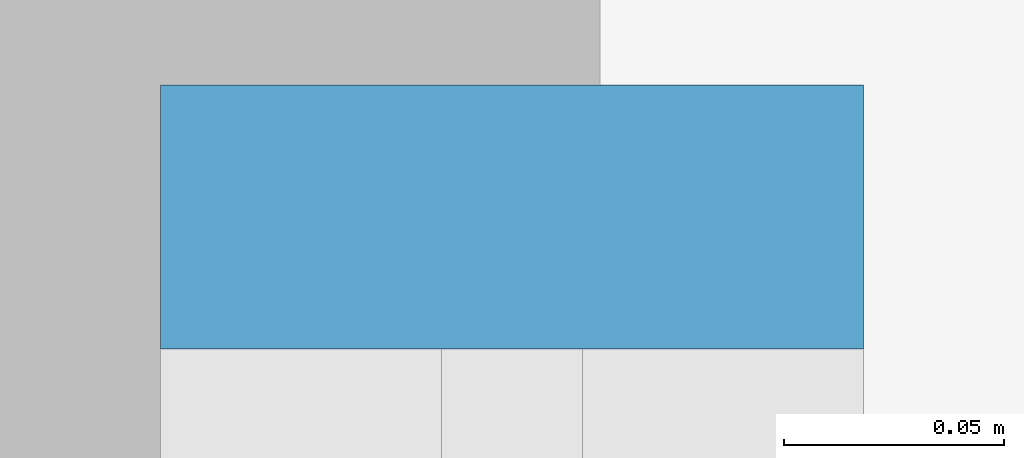
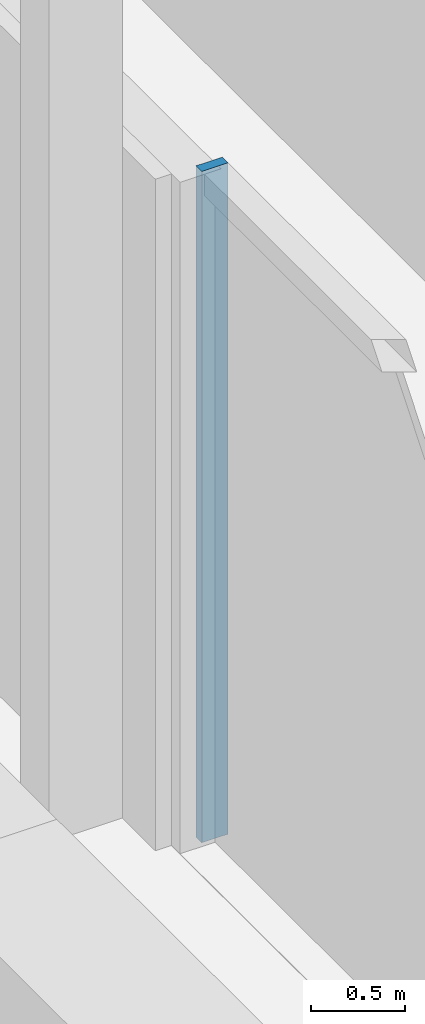
# One storey, part 11 of 29: 1 member, 1 element without a shape of its own.
"""IFC4 building model written with IfcOpenShell, lengths in metres."""

import ifcopenshell
import ifcopenshell.guid

model = None  # the IFC model being written
_history = None  # IfcOwnerHistory: only IFC2X3 demands one
_inside = {}  # id of a spatial element -> (the spatial element, [elements in it])
_under = {}  # id of a project, library or spatial element -> (it, [spatial elements below it])
_declared = {}  # id of a project -> (the project, [libraries it declares])
_typed = {}  # id of a type object -> (the type object, [elements of that type])
_made_of = {}  # id of a material, layer set ... -> (it, [elements and type objects made of it])


def new_model(schema):
    """Start an empty IFC model of exactly this schema.

    Asked for "IFC4X3", IfcOpenShell would pick the latest addendum, in which some entities
    have other attributes; the version numbers below select the first issue.
    IFC2X3 requires an IfcOwnerHistory on every rooted entity: one is made here for all.
    """
    global model, _history
    if schema == "IFC4X3":
        model = ifcopenshell.file(schema_version=(4, 3, 0, 0))
    else:
        model = ifcopenshell.file(schema=schema)
    _inside.clear()
    _under.clear()
    _declared.clear()
    _typed.clear()
    _made_of.clear()
    _history = None
    if model.schema == "IFC2X3":
        org = make("IfcOrganization", Name="unknown")
        user = make(
            "IfcPersonAndOrganization",
            ThePerson=make("IfcPerson", FamilyName="unknown"),
            TheOrganization=org,
        )
        app = make(
            "IfcApplication",
            ApplicationDeveloper=org,
            Version="unknown",
            ApplicationFullName="unknown",
            ApplicationIdentifier="unknown",
        )
        _history = make(
            "IfcOwnerHistory",
            OwningUser=user,
            OwningApplication=app,
            ChangeAction="ADDED",
            CreationDate=0,
        )
    return model


def make(cls, **values):
    """One entity of the class cls with the attributes given. An attribute that is None is left unset."""
    return model.create_entity(
        cls, **{name: value for name, value in values.items() if value is not None}
    )


def rooted(cls, **values):
    """An entity with a GlobalId (a new one), such as an element, a storey or a relation."""
    return make(cls, GlobalId=ifcopenshell.guid.new(), OwnerHistory=_history, **values)


def si_unit(unit_type, name, prefix=None):
    """IfcSIUnit, for example si_unit("LENGTHUNIT", "METRE", prefix="MILLI")."""
    return make("IfcSIUnit", UnitType=unit_type, Prefix=prefix, Name=name)


def assignment(units):
    """IfcUnitAssignment: the units of a project."""
    return None if units is None else make("IfcUnitAssignment", Units=units)


def point(xyz):
    """IfcCartesianPoint."""
    return None if xyz is None else make("IfcCartesianPoint", Coordinates=xyz)


def direction(xyz):
    """IfcDirection."""
    return None if xyz is None else make("IfcDirection", DirectionRatios=xyz)


def frame(location, z_axis=None, x_axis=None):
    """IfcAxis2Placement3D, a coordinate frame: its origin and axes. An axis left out is left unset."""
    return make(
        "IfcAxis2Placement3D",
        Location=point(location),
        Axis=direction(z_axis),
        RefDirection=direction(x_axis),
    )


def frame_2d(location, x_axis=None):
    """IfcAxis2Placement2D, a coordinate frame in the plane: its origin and x axis."""
    return make(
        "IfcAxis2Placement2D", Location=point(location), RefDirection=direction(x_axis)
    )


def origin():
    """The frame at (0, 0, 0) with its axes left unset."""
    return frame((0.0, 0.0, 0.0))


def origin_2d():
    """The frame at (0, 0) in the plane with its x axis left unset."""
    return frame_2d((0.0, 0.0))


def place(relative_to, where):
    """IfcLocalPlacement: puts the frame where relative to a parent placement (None: the world)."""
    return make(
        "IfcLocalPlacement", PlacementRelTo=relative_to, RelativePlacement=where
    )


def context(
    kind, dimensions, precision=None, world=None, true_north=None, identifier=None
):
    """IfcGeometricRepresentationContext, for example the 3D "Model" context."""
    return make(
        "IfcGeometricRepresentationContext",
        ContextIdentifier=identifier,
        ContextType=kind,
        CoordinateSpaceDimension=dimensions,
        Precision=precision,
        WorldCoordinateSystem=world,
        TrueNorth=true_north,
    )


def subcontext(parent, identifier, kind, view, scale=None):
    """IfcGeometricRepresentationSubContext, for example "Body" below "Model"."""
    return make(
        "IfcGeometricRepresentationSubContext",
        ContextIdentifier=identifier,
        ContextType=kind,
        ParentContext=parent,
        TargetScale=scale,
        TargetView=view,
    )


def project(units=None, contexts=None):
    """IfcProject with its units and contexts."""
    return rooted(
        "IfcProject",
        Name="project",
        RepresentationContexts=contexts,
        UnitsInContext=assignment(units),
    )


def spatial(cls, under=None, at=None, **own):
    """A site, building, storey or space (cls), placed at a placement, below another one or the project."""
    s = rooted(cls, ObjectPlacement=at, **own)
    if under is not None:
        _under.setdefault(under.id(), (under, []))[1].append(s)
    return s


def profile(cls, at=None, kind="AREA", **sizes):
    """A parametric profile (cls). Its sizes go by their IFC names, for example OverallWidth=200.0."""
    return make(cls, ProfileType=kind, Position=at, **sizes)


def rectangle(**sizes):
    """IfcRectangleProfileDef."""
    return profile("IfcRectangleProfileDef", **sizes)


def extrude(swept, where, along, depth):
    """IfcExtrudedAreaSolid: the profile swept, set in the frame where, extruded along a direction by depth."""
    return make(
        "IfcExtrudedAreaSolid",
        SweptArea=swept,
        Position=where,
        ExtrudedDirection=direction(along),
        Depth=depth,
    )


def shape(context_of_items, identifier, shape_type, items):
    """IfcShapeRepresentation: the items that make up one representation, for example the "Body"."""
    return make(
        "IfcShapeRepresentation",
        ContextOfItems=context_of_items,
        RepresentationIdentifier=identifier,
        RepresentationType=shape_type,
        Items=items,
    )


def material(Name=None, Category=None):
    """IfcMaterial."""
    return make("IfcMaterial", Name=Name, Category=Category)


def material_profile(
    of_material, cross_section, Name=None, Category=None, Priority=None
):
    """IfcMaterialProfile: a cross section and its material."""
    return make(
        "IfcMaterialProfile",
        Name=Name,
        Material=of_material,
        Profile=cross_section,
        Priority=Priority,
        Category=Category,
    )


def profile_set(profiles, Name=None, composite=None):
    """IfcMaterialProfileSet."""
    return make(
        "IfcMaterialProfileSet",
        Name=Name,
        MaterialProfiles=profiles,
        CompositeProfile=composite,
    )


def made_of(thing, what):
    """Note that an element or type object is made of a material, layer set ...; save() writes the relation."""
    if what is not None:
        _made_of.setdefault(what.id(), (what, []))[1].append(thing)
    return thing


def type_object(cls, material=None, **own):
    """A type object (cls), such as IfcWallType, which elements share."""
    return made_of(rooted(cls, **own), material)


def element(
    cls,
    number,
    at=None,
    inside=None,
    cuts=None,
    type_object=None,
    material=None,
    context=None,
    identifier="Body",
    shape_type=None,
    held_by="IfcProductDefinitionShape",
    body=None,
    shapes=None,
    **own,
):
    """One element of the class cls, such as IfcWall. Its Tag is "e" and its number.

    at: its placement. inside: the storey or other place that contains it. cuts: it is an
    opening in that element (IfcRelVoidsElement). A single representation is given by context,
    identifier, shape_type and body (its items); several are given by shapes. held_by: the class
    of the entity that holds the representations. save() writes the other relations.
    """
    e = rooted(cls, Tag="e%d" % number, ObjectPlacement=at, **own)
    if body is not None:
        shapes = [shape(context, identifier, shape_type, body)]
    if shapes is not None:
        e.Representation = make(held_by, Representations=shapes)
    if inside is not None:
        _inside.setdefault(inside.id(), (inside, []))[1].append(e)
    if cuts is not None:
        rooted(
            "IfcRelVoidsElement", RelatingBuildingElement=cuts, RelatedOpeningElement=e
        )
    if type_object is not None:
        _typed.setdefault(type_object.id(), (type_object, []))[1].append(e)
    return made_of(e, material)


def aggregate(whole, parts):
    """IfcRelAggregates: a whole, such as a stair, and the parts it consists of."""
    return rooted("IfcRelAggregates", RelatingObject=whole, RelatedObjects=parts)


def save(model, path):
    """Write the relations noted so far, then the file.

    IfcRelAggregates (storeys below a building ...), IfcRelContainedInSpatialStructure (elements
    in a storey), IfcRelDefinesByType, IfcRelAssociatesMaterial and IfcRelDeclares: one each for
    every whole, place, type object, material and project.
    """
    for whole, parts in _under.values():
        aggregate(whole, parts)
    for where, things in _inside.values():
        rooted(
            "IfcRelContainedInSpatialStructure",
            RelatedElements=things,
            RelatingStructure=where,
        )
    for kind, things in _typed.values():
        rooted("IfcRelDefinesByType", RelatedObjects=things, RelatingType=kind)
    for what, things in _made_of.values():
        rooted("IfcRelAssociatesMaterial", RelatedObjects=things, RelatingMaterial=what)
    for by, libraries in _declared.values():
        rooted("IfcRelDeclares", RelatingContext=by, RelatedDefinitions=libraries)
    model.write(path)


model = new_model("IFC4")

# Units and contexts
model_context = context("Model", 3, precision=1e-05, world=origin(), true_north=direction((0.0, 1.0)))
body_context = subcontext(model_context, "Body", "Model", "MODEL_VIEW")
ifc_project = project(units=[si_unit("LENGTHUNIT", "METRE"), si_unit("AREAUNIT", "SQUARE_METRE"), si_unit("VOLUMEUNIT", "CUBIC_METRE"), si_unit("PLANEANGLEUNIT", "RADIAN"), si_unit("MASSUNIT", "GRAM", prefix="KILO")], contexts=[model_context])

# Site, building, storey
site_placement = place(None, origin())
site = spatial("IfcSite", under=ifc_project, at=site_placement, CompositionType="ELEMENT")
building_placement = place(site_placement, origin())
building = spatial("IfcBuilding", under=site, at=building_placement, Name="Bicima Exchange Tower", CompositionType="ELEMENT")
storey_placement = place(building_placement, frame((0.0, 0.0, 35.0)))
storey = spatial("IfcBuildingStorey", under=building, at=storey_placement, Name="L06", CompositionType="ELEMENT", Elevation=35.0)

# Curtain wall, member
ifc_material = material(Name="Anodised bronze aluminium", Category="aluminium")
curtain_wall_type = type_object("IfcCurtainWallType", Name="End face glass wall", PredefinedType="NOTDEFINED", material=ifc_material)
curtain_wall_placement = place(storey_placement, origin())
curtain_wall = element("IfcCurtainWall", 1, at=curtain_wall_placement, inside=storey, type_object=curtain_wall_type, Name="End face glass wall L06 run 2", PredefinedType="NOTDEFINED")
ifc_material_profile = material_profile(ifc_material, rectangle(XDim=0.159912109375, YDim=0.06005859375, at=origin_2d()))
ifc_profile_set = profile_set([ifc_material_profile], Name="Anodised bronze aluminium")
member_type = type_object("IfcMemberType", Name="End face glass wall mullion 60 x 160", PredefinedType="MULLION", material=ifc_profile_set)
member_placement = place(storey_placement, frame((-35.77001953125, -12.030029296875, 0.0), z_axis=(0.0, 0.0, 1.0), x_axis=(1.0, 0.0, 0.0)))
member = element("IfcMember", 2, at=member_placement, type_object=member_type, Name="End face glass wall mullion 1", PredefinedType="MULLION", context=body_context, shape_type="SweptSolid", body=[
    extrude(rectangle(XDim=0.159912109375, YDim=0.06005859375, at=origin_2d()), origin(), (0.0, 0.0, 1.0), 4.35009765625),
])
aggregate(curtain_wall, [member])

save(model, "model.ifc")
